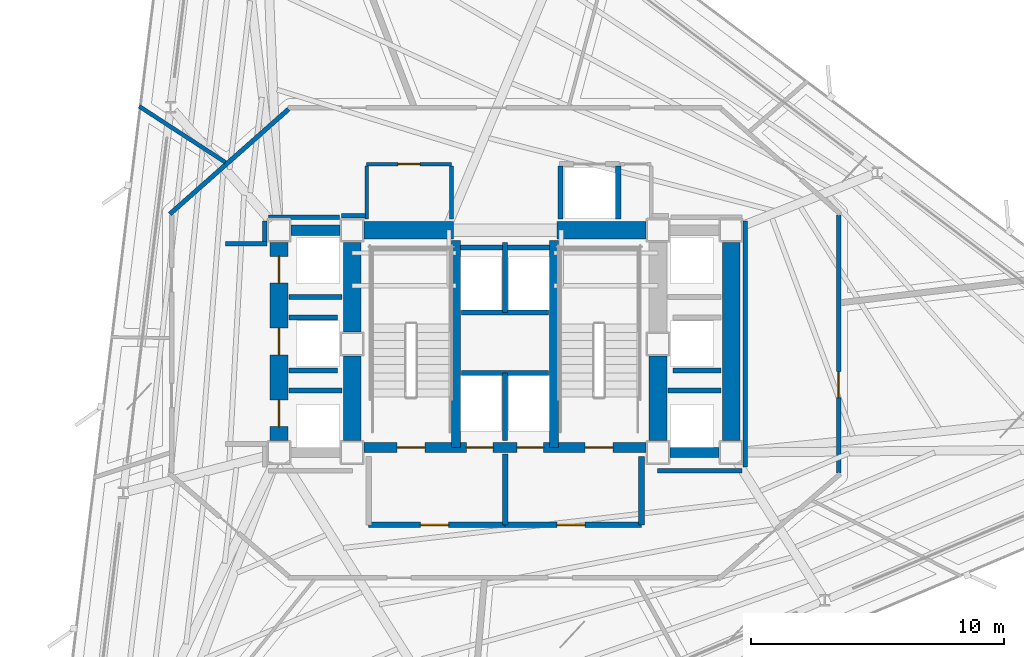
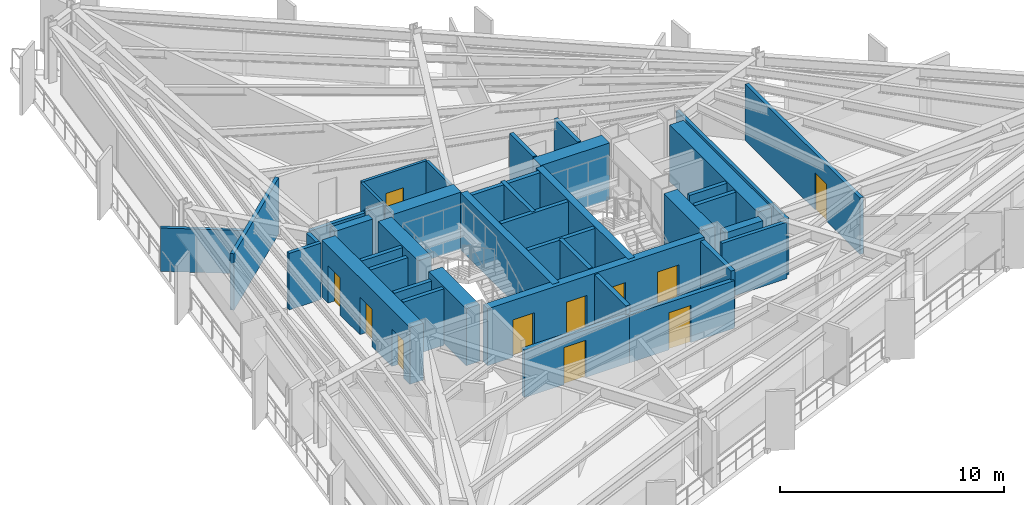
# One storey, part 7 of 13: 41 walls, 11 doors, 11 openings.
"""IFC4 building model written with IfcOpenShell, lengths in metres."""

from ifc_helpers import new_model, si_unit, direction, frame, frame_2d, origin, place, context, subcontext, project, spatial, rectangle, extrude, material, layer, layer_set, type_object, element, fill, save


model = new_model("IFC4")

# Units and contexts
model_context = context("Model", 3, precision=1e-05, world=origin(), true_north=direction((0.0, 1.0)))
body_context = subcontext(model_context, "Body", "Model", "MODEL_VIEW")
ifc_project = project(units=[si_unit("LENGTHUNIT", "METRE"), si_unit("AREAUNIT", "SQUARE_METRE"), si_unit("VOLUMEUNIT", "CUBIC_METRE"), si_unit("PLANEANGLEUNIT", "RADIAN"), si_unit("MASSUNIT", "GRAM", prefix="KILO")], contexts=[model_context])

# Site, building, storey
site_placement = place(None, origin())
site = spatial("IfcSite", under=ifc_project, at=site_placement, CompositionType="ELEMENT")
building_placement = place(site_placement, origin())
building = spatial("IfcBuilding", under=site, at=building_placement, Name="Rocaltana Carrier Exchange", CompositionType="ELEMENT")
storey_placement = place(building_placement, frame((0.0, 0.0, 63.0400390625)))
storey = spatial("IfcBuildingStorey", under=building, at=storey_placement, Name="L19", CompositionType="ELEMENT", Elevation=63.0400390625)

# Walls
ifc_material_1 = material(Name="Double Acoustic Gypsum Partition", Category="gypsum")
ifc_layer_1 = layer(ifc_material_1, 0.159912109375)
ifc_layer_set_1 = layer_set([ifc_layer_1], Name="Double Acoustic Gypsum Partition")
wall_type_1 = type_object("IfcWallType", Name="Acoustic Studio Partition 160 EI60", PredefinedType="PARTITIONING", material=ifc_layer_set_1)
wall_1_placement = place(storey_placement, frame((-11.069091796875, 7.188232421875, 0.0), z_axis=(0.0, 0.0, 1.0), x_axis=(-0.838653238926, 0.544665718436, 0.0)))
element("IfcWall", 1, at=wall_1_placement, inside=storey, type_object=wall_type_1, Name="L19 Suite Divider Wall D10", PredefinedType="PARTITIONING", context=body_context, shape_type="SweptSolid", body=[
    extrude(rectangle(XDim=4.070068359375, YDim=0.159912109375, at=frame_2d((2.03515625, 0.0))), origin(), (0.0, 0.0, 1.0), 2.35791015625),
])
ifc_material_2 = material(Name="Concrete C50/60", Category="concrete")
ifc_layer_2 = layer(ifc_material_2, 0.35009765625)
ifc_layer_set_2 = layer_set([ifc_layer_2], Name="Concrete C50/60")
wall_type_2 = type_object("IfcWallType", Name="Core Internal Shear Wall 350", PredefinedType="SHEAR", material=ifc_layer_set_2)
for number, where, z_axis, x_axis, name in (
    (2, (-1.93994140625, -4.10009765625, 0.0), (0.0, 0.0, 1.0), (0.0, 1.0, 0.0), "L19 Core Shear Wall CW-STW"),
    (3, (1.93994140625, -4.10009765625, 0.0), (0.0, 0.0, 1.0), (0.0, 1.0, 0.0), "L19 Core Shear Wall CW-STE"),
):
    element("IfcWall", number, at=place(storey_placement, frame(where, z_axis=z_axis, x_axis=x_axis)), inside=storey, type_object=wall_type_2, Name=name, PredefinedType="SHEAR", context=body_context, shape_type="SweptSolid", body=[
        extrude(rectangle(XDim=8.2001953125, YDim=0.35009765625, at=frame_2d((4.10009765625, 0.0))), origin(), (0.0, 0.0, 1.0), 3.097900390625),
    ])

# Wall, openings, doors
ifc_material_3 = material(Name="Concrete C50/60", Category="concrete")
ifc_layer_3 = layer(ifc_material_3, 0.39990234375)
ifc_layer_set_3 = layer_set([ifc_layer_3], Name="Concrete C50/60")
wall_type_3 = type_object("IfcWallType", Name="Core Internal Shear Wall 400", PredefinedType="SHEAR", material=ifc_layer_set_3)
wall_2_placement = place(storey_placement, frame((-5.574951171875, -4.10009765625, 0.0), z_axis=(0.0, 0.0, 1.0), x_axis=(1.0, 0.0, 0.0)))
wall_2 = element("IfcWall", 4, at=wall_2_placement, inside=storey, type_object=wall_type_3, Name="L19 Core Shear Wall CW-S", PredefinedType="SHEAR", context=body_context, shape_type="SweptSolid", body=[
    extrude(rectangle(XDim=11.14990234375, YDim=0.39990234375, at=frame_2d((5.574951171875, 0.0))), origin(), (0.0, 0.0, 1.0), 3.097900390625),
])
opening_1_placement = place(wall_2_placement, frame((1.304931640625, 0.0, 0.0)))
opening_1 = element("IfcOpeningElement", 5, at=opening_1_placement, cuts=wall_2, Name="Opening D-ST110", PredefinedType="OPENING", context=body_context, shape_type="SweptSolid", body=[
    extrude(rectangle(XDim=1.10009765625, YDim=2.0400390625, at=frame_2d((0.550048828125, 1.02001953125))), frame((0.0, 0.2099609375, 0.0), z_axis=(0.0, -1.0, 0.0), x_axis=(1.0, 0.0, 0.0)), (0.0, 0.0, 1.0), 0.419921875),
])
opening_2_placement = place(wall_2_placement, frame((8.7451171875, 0.0, 0.0)))
opening_2 = element("IfcOpeningElement", 6, at=opening_2_placement, cuts=wall_2, Name="Opening D-ST110", PredefinedType="OPENING", context=body_context, shape_type="SweptSolid", body=[
    extrude(rectangle(XDim=1.10009765625, YDim=2.0400390625, at=frame_2d((0.550048828125, 1.02001953125))), frame((0.0, 0.2099609375, 0.0), z_axis=(0.0, -1.0, 0.0), x_axis=(1.0, 0.0, 0.0)), (0.0, 0.0, 1.0), 0.419921875),
])
opening_3_placement = place(wall_2_placement, frame((4.044921875, 0.0, 0.0)))
opening_3 = element("IfcOpeningElement", 7, at=opening_3_placement, cuts=wall_2, Name="Opening LD-110", PredefinedType="OPENING", context=body_context, shape_type="SweptSolid", body=[
    extrude(rectangle(XDim=1.06005859375, YDim=2.0400390625, at=frame_2d((0.530029296875, 1.02001953125))), frame((0.0, 0.2099609375, 0.0), z_axis=(0.0, -1.0, 0.0), x_axis=(1.0, 0.0, 0.0)), (0.0, 0.0, 1.0), 0.419921875),
])
opening_4_placement = place(wall_2_placement, frame((6.044921875, 0.0, 0.0)))
opening_4 = element("IfcOpeningElement", 8, at=opening_4_placement, cuts=wall_2, Name="Opening LD-110", PredefinedType="OPENING", context=body_context, shape_type="SweptSolid", body=[
    extrude(rectangle(XDim=1.06005859375, YDim=2.0400390625, at=frame_2d((0.530029296875, 1.02001953125))), frame((0.0, 0.2099609375, 0.0), z_axis=(0.0, -1.0, 0.0), x_axis=(1.0, 0.0, 0.0)), (0.0, 0.0, 1.0), 0.419921875),
])
ifc_material_4 = material(Name="Hollow Metal Fire Door Assembly", Category="steel")
door_type_1 = type_object("IfcDoorType", Name="Exit Stair Fire Door 1100x2040 FD90S", OperationType="NOTDEFINED", PredefinedType="DOOR", material=ifc_material_4)
door_1_placement = place(opening_1_placement, origin())
door_1 = element("IfcDoor", 9, at=door_1_placement, inside=storey, type_object=door_type_1, Name="L19 Exit Stair ST1 Fire Door", OperationType="SINGLE_SWING_RIGHT", OverallHeight=2.0400390625, OverallWidth=1.10009765625, PredefinedType="DOOR", context=body_context, shape_type="SweptSolid", body=[
    extrude(rectangle(XDim=1.10009765625, YDim=2.0400390625, at=frame_2d((0.550048828125, 1.02001953125))), frame((0.0, 0.02490234375, 0.0), z_axis=(0.0, -1.0, 0.0), x_axis=(1.0, 0.0, 0.0)), (0.0, 0.0, 1.0), 0.050048828125),
])
fill(opening_1, door_1)
door_2_placement = place(opening_2_placement, origin())
door_2 = element("IfcDoor", 10, at=door_2_placement, inside=storey, type_object=door_type_1, Name="L19 Exit Stair ST2 Fire Door", OperationType="SINGLE_SWING_LEFT", OverallHeight=2.0400390625, OverallWidth=1.10009765625, PredefinedType="DOOR", context=body_context, shape_type="SweptSolid", body=[
    extrude(rectangle(XDim=1.10009765625, YDim=2.0400390625, at=frame_2d((0.550048828125, 1.02001953125))), frame((0.0, 0.02490234375, 0.0), z_axis=(0.0, -1.0, 0.0), x_axis=(1.0, 0.0, 0.0)), (0.0, 0.0, 1.0), 0.050048828125),
])
fill(opening_2, door_2)
ifc_material_5 = material(Name="Brushed Stainless Sliding Door Leaf", Category="steel")
door_type_2 = type_object("IfcDoorType", Name="Lift Landing Sliding Door 1060x2040", OperationType="NOTDEFINED", PredefinedType="DOOR", material=ifc_material_5)
door_3_placement = place(opening_3_placement, origin())
door_3 = element("IfcDoor", 11, at=door_3_placement, inside=storey, type_object=door_type_2, Name="L19 Firefighting Lift FFL1 Landing Door", OperationType="SLIDING_TO_LEFT", OverallHeight=2.0400390625, OverallWidth=1.06005859375, PredefinedType="DOOR", context=body_context, shape_type="SweptSolid", body=[
    extrude(rectangle(XDim=1.06005859375, YDim=2.0400390625, at=frame_2d((0.530029296875, 1.02001953125))), frame((0.0, 0.02490234375, 0.0), z_axis=(0.0, -1.0, 0.0), x_axis=(1.0, 0.0, 0.0)), (0.0, 0.0, 1.0), 0.050048828125),
])
fill(opening_3, door_3)
door_4_placement = place(opening_4_placement, origin())
door_4 = element("IfcDoor", 12, at=door_4_placement, inside=storey, type_object=door_type_2, Name="L19 Firefighting Lift FFL2 Landing Door", OperationType="SLIDING_TO_RIGHT", OverallHeight=2.0400390625, OverallWidth=1.06005859375, PredefinedType="DOOR", context=body_context, shape_type="SweptSolid", body=[
    extrude(rectangle(XDim=1.06005859375, YDim=2.0400390625, at=frame_2d((0.530029296875, 1.02001953125))), frame((0.0, 0.02490234375, 0.0), z_axis=(0.0, -1.0, 0.0), x_axis=(1.0, 0.0, 0.0)), (0.0, 0.0, 1.0), 0.050048828125),
])
fill(opening_4, door_4)

# Walls
for number, where, z_axis, x_axis, name in (
    (13, (-8.47509765625, 4.5, 0.0), (0.0, 0.0, 1.0), (1.0, 0.0, 0.0), "L19 Core Shear Wall CW-WWN"),
    (14, (6.52490234375, -4.300048828125, 0.0), (0.0, 0.0, 1.0), (1.0, 0.0, 0.0), "L19 Core Shear Wall CW-EWS"),
):
    element("IfcWall", number, at=place(storey_placement, frame(where, z_axis=z_axis, x_axis=x_axis)), inside=storey, type_object=wall_type_3, Name=name, PredefinedType="SHEAR", context=body_context, shape_type="SweptSolid", body=[
        extrude(rectangle(XDim=1.9501953125, YDim=0.39990234375, at=frame_2d((0.97509765625, 0.0))), origin(), (0.0, 0.0, 1.0), 3.097900390625),
    ])
ifc_material_6 = material(Name="Concrete C60/75", Category="concrete")
ifc_layer_4 = layer(ifc_material_6, 0.699951171875)
ifc_layer_set_4 = layer_set([ifc_layer_4], Name="Concrete C60/75")
wall_type_4 = type_object("IfcWallType", Name="Core Shear Wall 700", PredefinedType="SHEAR", material=ifc_layer_set_4)
wall_3_placement = place(storey_placement, frame((-6.050048828125, 0.47509765625, 0.0), z_axis=(0.0, 0.0, 1.0), x_axis=(0.0, 1.0, 0.0)))
element("IfcWall", 15, at=wall_3_placement, inside=storey, type_object=wall_type_4, Name="L19 Core Shear Wall CW-WN", PredefinedType="SHEAR", context=body_context, shape_type="SweptSolid", body=[
    extrude(rectangle(XDim=3.5498046875, YDim=0.699951171875, at=frame_2d((1.77490234375, 0.0))), origin(), (0.0, 0.0, 1.0), 3.097900390625),
])
for number, where, z_axis, x_axis, name in (
    (16, (-6.050048828125, -3.824951171875, 0.0), (0.0, 0.0, 1.0), (0.0, 1.0, 0.0), "L19 Core Shear Wall CW-WS"),
    (17, (6.050048828125, -3.824951171875, 0.0), (0.0, 0.0, 1.0), (0.0, 1.0, 0.0), "L19 Core Shear Wall CW-ES"),
):
    element("IfcWall", number, at=place(storey_placement, frame(where, z_axis=z_axis, x_axis=x_axis)), inside=storey, type_object=wall_type_4, Name=name, PredefinedType="SHEAR", context=body_context, shape_type="SweptSolid", body=[
        extrude(rectangle(XDim=3.349853515625, YDim=0.699951171875, at=frame_2d((1.6748046875, 0.0))), origin(), (0.0, 0.0, 1.0), 3.097900390625),
    ])
for number, where, z_axis, x_axis, name in (
    (18, (-5.574951171875, 4.5, 0.0), (0.0, 0.0, 1.0), (1.0, 0.0, 0.0), "L19 Core Shear Wall CW-N1"),
    (19, (2.050048828125, 4.5, 0.0), (0.0, 0.0, 1.0), (1.0, 0.0, 0.0), "L19 Core Shear Wall CW-N2"),
):
    element("IfcWall", number, at=place(storey_placement, frame(where, z_axis=z_axis, x_axis=x_axis)), inside=storey, type_object=wall_type_4, Name=name, PredefinedType="SHEAR", context=body_context, shape_type="SweptSolid", body=[
        extrude(rectangle(XDim=3.52490234375, YDim=0.699951171875, at=frame_2d((1.762451171875, 0.0))), origin(), (0.0, 0.0, 1.0), 3.097900390625),
    ])

# Wall, openings, doors
wall_4_placement = place(storey_placement, frame((-8.949951171875, -3.824951171875, 0.0), z_axis=(0.0, 0.0, 1.0), x_axis=(0.0, 1.0, 0.0)))
wall_4 = element("IfcWall", 20, at=wall_4_placement, inside=storey, type_object=wall_type_4, Name="L19 Core Shear Wall CW-WW", PredefinedType="SHEAR", context=body_context, shape_type="SweptSolid", body=[
    extrude(rectangle(XDim=7.849853515625, YDim=0.699951171875, at=frame_2d((3.9248046875, 0.0))), origin(), (0.0, 0.0, 1.0), 3.097900390625),
])
opening_5_placement = place(wall_4_placement, frame((0.550048828125, 0.0, 0.0)))
opening_5 = element("IfcOpeningElement", 21, at=opening_5_placement, cuts=wall_4, Name="Opening LD-110", PredefinedType="OPENING", context=body_context, shape_type="SweptSolid", body=[
    extrude(rectangle(XDim=1.06005859375, YDim=2.0400390625, at=frame_2d((0.530029296875, 1.02001953125))), frame((0.0, 0.35986328125, 0.0), z_axis=(0.0, -1.0, 0.0), x_axis=(1.0, 0.0, 0.0)), (0.0, 0.0, 1.0), 0.719970703125),
])
opening_6_placement = place(wall_4_placement, frame((3.39501953125, 0.0, 0.0)))
opening_6 = element("IfcOpeningElement", 22, at=opening_6_placement, cuts=wall_4, Name="Opening LD-110", PredefinedType="OPENING", context=body_context, shape_type="SweptSolid", body=[
    extrude(rectangle(XDim=1.06005859375, YDim=2.0400390625, at=frame_2d((0.530029296875, 1.02001953125))), frame((0.0, 0.35986328125, 0.0), z_axis=(0.0, -1.0, 0.0), x_axis=(1.0, 0.0, 0.0)), (0.0, 0.0, 1.0), 0.719970703125),
])
opening_7_placement = place(wall_4_placement, frame((6.22998046875, 0.0, 0.0)))
opening_7 = element("IfcOpeningElement", 23, at=opening_7_placement, cuts=wall_4, Name="Opening LD-110", PredefinedType="OPENING", context=body_context, shape_type="SweptSolid", body=[
    extrude(rectangle(XDim=1.06005859375, YDim=2.0400390625, at=frame_2d((0.530029296875, 1.02001953125))), frame((0.0, 0.35986328125, 0.0), z_axis=(0.0, -1.0, 0.0), x_axis=(1.0, 0.0, 0.0)), (0.0, 0.0, 1.0), 0.719970703125),
])
door_5_placement = place(opening_5_placement, origin())
door_5 = element("IfcDoor", 24, at=door_5_placement, inside=storey, type_object=door_type_2, Name="L19 Low-Rise Lift PL-L1 Landing Door", OperationType="SLIDING_TO_LEFT", OverallHeight=2.0400390625, OverallWidth=1.06005859375, PredefinedType="DOOR", context=body_context, shape_type="SweptSolid", body=[
    extrude(rectangle(XDim=1.06005859375, YDim=2.0400390625, at=frame_2d((0.530029296875, 1.02001953125))), frame((0.0, 0.02490234375, 0.0), z_axis=(0.0, -1.0, 0.0), x_axis=(1.0, 0.0, 0.0)), (0.0, 0.0, 1.0), 0.050048828125),
])
fill(opening_5, door_5)
door_6_placement = place(opening_6_placement, origin())
door_6 = element("IfcDoor", 25, at=door_6_placement, inside=storey, type_object=door_type_2, Name="L19 Low-Rise Lift PL-L2 Landing Door", OperationType="SLIDING_TO_RIGHT", OverallHeight=2.0400390625, OverallWidth=1.06005859375, PredefinedType="DOOR", context=body_context, shape_type="SweptSolid", body=[
    extrude(rectangle(XDim=1.06005859375, YDim=2.0400390625, at=frame_2d((0.530029296875, 1.02001953125))), frame((0.0, 0.02490234375, 0.0), z_axis=(0.0, -1.0, 0.0), x_axis=(1.0, 0.0, 0.0)), (0.0, 0.0, 1.0), 0.050048828125),
])
fill(opening_6, door_6)
door_7_placement = place(opening_7_placement, origin())
door_7 = element("IfcDoor", 26, at=door_7_placement, inside=storey, type_object=door_type_2, Name="L19 Low-Rise Lift PL-L3 Landing Door", OperationType="SLIDING_TO_LEFT", OverallHeight=2.0400390625, OverallWidth=1.06005859375, PredefinedType="DOOR", context=body_context, shape_type="SweptSolid", body=[
    extrude(rectangle(XDim=1.06005859375, YDim=2.0400390625, at=frame_2d((0.530029296875, 1.02001953125))), frame((0.0, 0.02490234375, 0.0), z_axis=(0.0, -1.0, 0.0), x_axis=(1.0, 0.0, 0.0)), (0.0, 0.0, 1.0), 0.050048828125),
])
fill(opening_7, door_7)

# Wall
wall_5_placement = place(storey_placement, frame((8.949951171875, -3.824951171875, 0.0), z_axis=(0.0, 0.0, 1.0), x_axis=(0.0, 1.0, 0.0)))
element("IfcWall", 27, at=wall_5_placement, inside=storey, type_object=wall_type_4, Name="L19 Core Shear Wall CW-EW", PredefinedType="SHEAR", context=body_context, shape_type="SweptSolid", body=[
    extrude(rectangle(XDim=7.849853515625, YDim=0.699951171875, at=frame_2d((3.9248046875, 0.0))), origin(), (0.0, 0.0, 1.0), 3.097900390625),
])

# Wall, opening, door
ifc_material_7 = material(Name="Gypsum & Steel Stud Partition", Category="steel")
ifc_layer_5 = layer(ifc_material_7, 0.179931640625)
ifc_layer_set_5 = layer_set([ifc_layer_5], Name="Gypsum & Steel Stud Partition")
wall_type_5 = type_object("IfcWallType", Name="Corridor Fire Partition 180 EI60", PredefinedType="PARTITIONING", material=ifc_layer_set_5)
wall_6_placement = place(storey_placement, frame((13.199951171875, 5.110107421875, 0.0), z_axis=(0.0, 0.0, 1.0), x_axis=(0.0, -1.0, 0.0)))
wall_6 = element("IfcWall", 28, at=wall_6_placement, inside=storey, type_object=wall_type_5, Name="L19 Corridor Partition 3", PredefinedType="PARTITIONING", context=body_context, shape_type="SweptSolid", body=[
    extrude(rectangle(XDim=10.22021484375, YDim=0.179931640625, at=frame_2d((5.110107421875, 0.0))), origin(), (0.0, 0.0, 1.0), 3.072998046875),
])
opening_8_placement = place(wall_6_placement, frame((6.209716796875, 0.0, 0.0)))
opening_8 = element("IfcOpeningElement", 29, at=opening_8_placement, cuts=wall_6, Name="Opening D-LB104", PredefinedType="OPENING", context=body_context, shape_type="SweptSolid", body=[
    extrude(rectangle(XDim=1.02001953125, YDim=2.02001953125, at=frame_2d((0.510009765625, 1.010009765625))), frame((0.0, 0.099853515625, 0.0), z_axis=(0.0, -1.0, 0.0), x_axis=(1.0, 0.0, 0.0)), (0.0, 0.0, 1.0), 0.199951171875),
])
ifc_material_8 = material(Name="Powder-Coated Aluminium 6063-T6", Category="aluminium")
door_type_3 = type_object("IfcDoorType", Name="Laboratory Acoustic Door 1020x2020", OperationType="NOTDEFINED", PredefinedType="DOOR", material=ifc_material_8)
door_8_placement = place(opening_8_placement, origin())
door_8 = element("IfcDoor", 30, at=door_8_placement, inside=storey, type_object=door_type_3, Name="L19 Optical Switching Laboratory Entrance Door", OperationType="SINGLE_SWING_LEFT", OverallHeight=2.02001953125, OverallWidth=1.02001953125, PredefinedType="DOOR", context=body_context, shape_type="SweptSolid", body=[
    extrude(rectangle(XDim=1.02001953125, YDim=2.02001953125, at=frame_2d((0.510009765625, 1.010009765625))), frame((0.0, 0.02490234375, 0.0), z_axis=(0.0, -1.0, 0.0), x_axis=(1.0, 0.0, 0.0)), (0.0, 0.0, 1.0), 0.050048828125),
])
fill(opening_8, door_8)

# Walls
wall_7_placement = place(storey_placement, frame((-13.267578125, 5.140380859375, 0.0), z_axis=(0.0, 0.0, 1.0), x_axis=(0.749626463267, 0.66186113768, 0.0)))
element("IfcWall", 31, at=wall_7_placement, inside=storey, type_object=wall_type_5, Name="L19 Corridor Partition 8", PredefinedType="PARTITIONING", context=body_context, shape_type="SweptSolid", body=[
    extrude(rectangle(XDim=6.27001953125, YDim=0.179931640625, at=frame_2d((3.135009765625, 0.0))), origin(), (0.0, 0.0, 1.0), 3.072998046875),
])
wall_8_placement = place(storey_placement, frame((-9.510009765625, 4.8701171875, 0.0), z_axis=(0.0, 0.0, 1.0), x_axis=(0.0, -1.0, 0.0)))
element("IfcWall", 32, at=wall_8_placement, inside=storey, type_object=wall_type_5, Name="L19 Corridor Partition 9", PredefinedType="PARTITIONING", context=body_context, shape_type="SweptSolid", body=[
    extrude(rectangle(XDim=0.820068359375, YDim=0.179931640625, at=frame_2d((0.41015625, 0.0))), origin(), (0.0, 0.0, 1.0), 3.072998046875),
])
wall_9_placement = place(storey_placement, frame((-9.419921875, 3.9599609375, 0.0), z_axis=(0.0, 0.0, 1.0), x_axis=(-1.0, 0.0, 0.0)))
element("IfcWall", 33, at=wall_9_placement, inside=storey, type_object=wall_type_5, Name="L19 Corridor Partition 10", PredefinedType="PARTITIONING", context=body_context, shape_type="SweptSolid", body=[
    extrude(rectangle(XDim=1.650146484375, YDim=0.179931640625, at=frame_2d((0.8251953125, 0.0))), origin(), (0.0, 0.0, 1.0), 3.072998046875),
])
wall_10_placement = place(storey_placement, frame((6.030029296875, -5.010009765625, 0.0), z_axis=(0.0, 0.0, 1.0), x_axis=(1.0, 0.0, 0.0)))
element("IfcWall", 34, at=wall_10_placement, inside=storey, type_object=wall_type_5, Name="L19 Corridor Partition 16", PredefinedType="PARTITIONING", context=body_context, shape_type="SweptSolid", body=[
    extrude(rectangle(XDim=3.340087890625, YDim=0.179931640625, at=frame_2d((1.669921875, 0.0))), origin(), (0.0, 0.0, 1.0), 3.072998046875),
])
wall_11_placement = place(storey_placement, frame((9.510009765625, -4.8701171875, 0.0), z_axis=(0.0, 0.0, 1.0), x_axis=(0.0, 1.0, 0.0)))
element("IfcWall", 35, at=wall_11_placement, inside=storey, type_object=wall_type_5, Name="L19 Corridor Partition 17", PredefinedType="PARTITIONING", context=body_context, shape_type="SweptSolid", body=[
    extrude(rectangle(XDim=9.740234375, YDim=0.179931640625, at=frame_2d((4.8701171875, 0.0))), origin(), (0.0, 0.0, 1.0), 3.072998046875),
])
wall_12_placement = place(storey_placement, frame((-5.52001953125, 5.080078125, 0.0), z_axis=(0.0, 0.0, 1.0), x_axis=(-1.0, 0.0, 0.0)))
element("IfcWall", 36, at=wall_12_placement, inside=storey, type_object=wall_type_5, Name="L19 Corridor Partition 22", PredefinedType="PARTITIONING", context=body_context, shape_type="SweptSolid", body=[
    extrude(rectangle(XDim=0.949951171875, YDim=0.179931640625, at=frame_2d((0.47509765625, 0.0))), origin(), (0.0, 0.0, 1.0), 3.072998046875),
])
wall_13_placement = place(storey_placement, frame((-6.562255859375, 5.010009765625, 0.0), z_axis=(0.0, 0.0, 1.0), x_axis=(-1.0, 0.0, 0.0)))
element("IfcWall", 37, at=wall_13_placement, inside=storey, type_object=wall_type_5, Name="L19 Corridor Partition 23", PredefinedType="PARTITIONING", context=body_context, shape_type="SweptSolid", body=[
    extrude(rectangle(XDim=2.807861328125, YDim=0.179931640625, at=frame_2d((1.40380859375, 0.0))), origin(), (0.0, 0.0, 1.0), 3.072998046875),
])
ifc_material_9 = material(Name="Autoclaved Aerated Concrete C30/37", Category="concrete")
ifc_layer_6 = layer(ifc_material_9, 0.219970703125)
ifc_layer_set_6 = layer_set([ifc_layer_6], Name="Autoclaved Aerated Concrete C30/37")
wall_type_6 = type_object("IfcWallType", Name="Firefighting Lobby Wall 220 EI120", PredefinedType="PARTITIONING", material=ifc_layer_set_6)
wall_14_placement = place(storey_placement, frame((5.39990234375, -7.159912109375, 0.0), z_axis=(0.0, 0.0, 1.0), x_axis=(0.0, 1.0, 0.0)))
element("IfcWall", 38, at=wall_14_placement, inside=storey, type_object=wall_type_6, Name="L19 FFL Lobby 2 East Wall", PredefinedType="PARTITIONING", context=body_context, shape_type="SweptSolid", body=[
    extrude(rectangle(XDim=2.7099609375, YDim=0.219970703125, at=frame_2d((1.35498046875, 0.0))), origin(), (0.0, 0.0, 1.0), 3.072998046875),
])
wall_15_placement = place(storey_placement, frame((0.0, -7.159912109375, 0.0), z_axis=(0.0, 0.0, 1.0), x_axis=(0.0, 1.0, 0.0)))
element("IfcWall", 39, at=wall_15_placement, inside=storey, type_object=wall_type_6, Name="L19 FFL Lobby Centre Wall", PredefinedType="PARTITIONING", context=body_context, shape_type="SweptSolid", body=[
    extrude(rectangle(XDim=2.809814453125, YDim=0.219970703125, at=frame_2d((1.40478515625, 0.0))), origin(), (0.0, 0.0, 1.0), 3.072998046875),
])

# Wall, opening, door
wall_16_placement = place(storey_placement, frame((-5.39990234375, -7.159912109375, 0.0), z_axis=(0.0, 0.0, 1.0), x_axis=(1.0, 0.0, 0.0)))
wall_16 = element("IfcWall", 40, at=wall_16_placement, inside=storey, type_object=wall_type_6, Name="L19 FFL Lobby 1 South Wall", PredefinedType="PARTITIONING", context=body_context, shape_type="SweptSolid", body=[
    extrude(rectangle(XDim=5.39990234375, YDim=0.219970703125, at=frame_2d((2.699951171875, 0.0))), origin(), (0.0, 0.0, 1.0), 2.5869140625),
])
opening_9_placement = place(wall_16_placement, frame((2.050048828125, 0.0, 0.0)))
opening_9 = element("IfcOpeningElement", 41, at=opening_9_placement, cuts=wall_16, Name="Opening D-FF115", PredefinedType="OPENING", context=body_context, shape_type="SweptSolid", body=[
    extrude(rectangle(XDim=1.1201171875, YDim=2.02001953125, at=frame_2d((0.56005859375, 1.010009765625))), frame((0.0, 0.119873046875, 0.0), z_axis=(0.0, -1.0, 0.0), x_axis=(1.0, 0.0, 0.0)), (0.0, 0.0, 1.0), 0.239990234375),
])
ifc_material_10 = material(Name="Hollow Metal Fire Door Assembly", Category="steel")
door_type_4 = type_object("IfcDoorType", Name="Firefighting Lobby Door 1120x2020 FD60S", OperationType="NOTDEFINED", PredefinedType="DOOR", material=ifc_material_10)
door_9_placement = place(opening_9_placement, origin())
door_9 = element("IfcDoor", 42, at=door_9_placement, inside=storey, type_object=door_type_4, Name="L19 Firefighting Lift Lobby 1 Door", OperationType="SINGLE_SWING_RIGHT", OverallHeight=2.02001953125, OverallWidth=1.1201171875, PredefinedType="DOOR", context=body_context, shape_type="SweptSolid", body=[
    extrude(rectangle(XDim=1.1201171875, YDim=2.02001953125, at=frame_2d((0.56005859375, 1.010009765625))), frame((0.0, 0.02490234375, 0.0), z_axis=(0.0, -1.0, 0.0), x_axis=(1.0, 0.0, 0.0)), (0.0, 0.0, 1.0), 0.050048828125),
])
fill(opening_9, door_9)

wall_17_placement = place(storey_placement, frame((0.0, -7.159912109375, 0.0), z_axis=(0.0, 0.0, 1.0), x_axis=(1.0, 0.0, 0.0)))
wall_17 = element("IfcWall", 43, at=wall_17_placement, inside=storey, type_object=wall_type_6, Name="L19 FFL Lobby 2 South Wall", PredefinedType="PARTITIONING", context=body_context, shape_type="SweptSolid", body=[
    extrude(rectangle(XDim=5.39990234375, YDim=0.219970703125, at=frame_2d((2.699951171875, 0.0))), origin(), (0.0, 0.0, 1.0), 2.5869140625),
])
opening_10_placement = place(wall_17_placement, frame((2.050048828125, 0.0, 0.0)))
opening_10 = element("IfcOpeningElement", 44, at=opening_10_placement, cuts=wall_17, Name="Opening D-FF115", PredefinedType="OPENING", context=body_context, shape_type="SweptSolid", body=[
    extrude(rectangle(XDim=1.1201171875, YDim=2.02001953125, at=frame_2d((0.56005859375, 1.010009765625))), frame((0.0, 0.119873046875, 0.0), z_axis=(0.0, -1.0, 0.0), x_axis=(1.0, 0.0, 0.0)), (0.0, 0.0, 1.0), 0.239990234375),
])
door_10_placement = place(opening_10_placement, origin())
door_10 = element("IfcDoor", 45, at=door_10_placement, inside=storey, type_object=door_type_4, Name="L19 Firefighting Lift Lobby 2 Door", OperationType="SINGLE_SWING_LEFT", OverallHeight=2.02001953125, OverallWidth=1.1201171875, PredefinedType="DOOR", context=body_context, shape_type="SweptSolid", body=[
    extrude(rectangle(XDim=1.1201171875, YDim=2.02001953125, at=frame_2d((0.56005859375, 1.010009765625))), frame((0.0, 0.02490234375, 0.0), z_axis=(0.0, -1.0, 0.0), x_axis=(1.0, 0.0, 0.0)), (0.0, 0.0, 1.0), 0.050048828125),
])
fill(opening_10, door_10)

# Walls
ifc_material_11 = material(Name="Reinforced Concrete Block C35/45", Category="concrete")
ifc_layer_7 = layer(ifc_material_11, 0.199951171875)
ifc_layer_set_7 = layer_set([ifc_layer_7], Name="Reinforced Concrete Block C35/45")
wall_type_7 = type_object("IfcWallType", Name="Lift Hoistway Enclosure Wall 200 EI120", PredefinedType="PARTITIONING", material=ifc_layer_set_7)
wall_18_placement = place(storey_placement, frame((0.0, -3.820068359375, 0.0), z_axis=(0.0, 0.0, 1.0), x_axis=(0.0, 1.0, 0.0)))
element("IfcWall", 46, at=wall_18_placement, inside=storey, type_object=wall_type_7, Name="L19 FFL Shaft Divider", PredefinedType="PARTITIONING", context=body_context, shape_type="SweptSolid", body=[
    extrude(rectangle(XDim=2.670166015625, YDim=0.199951171875, at=frame_2d((1.3349609375, 0.0))), origin(), (0.0, 0.0, 1.0), 3.072998046875),
])
wall_19_placement = place(storey_placement, frame((-1.719970703125, -1.14990234375, 0.0), z_axis=(0.0, 0.0, 1.0), x_axis=(1.0, 0.0, 0.0)))
element("IfcWall", 47, at=wall_19_placement, inside=storey, type_object=wall_type_7, Name="L19 FFL Shaft Back Wall", PredefinedType="PARTITIONING", context=body_context, shape_type="SweptSolid", body=[
    extrude(rectangle(XDim=3.43994140625, YDim=0.199951171875, at=frame_2d((1.719970703125, 0.0))), origin(), (0.0, 0.0, 1.0), 3.072998046875),
])
wall_20_placement = place(storey_placement, frame((0.0, 1.25, 0.0), z_axis=(0.0, 0.0, 1.0), x_axis=(0.0, 1.0, 0.0)))
element("IfcWall", 48, at=wall_20_placement, inside=storey, type_object=wall_type_7, Name="L19 High-Rise Shaft Divider", PredefinedType="PARTITIONING", context=body_context, shape_type="SweptSolid", body=[
    extrude(rectangle(XDim=2.77001953125, YDim=0.199951171875, at=frame_2d((1.385009765625, 0.0))), origin(), (0.0, 0.0, 1.0), 3.072998046875),
])
wall_21_placement = place(storey_placement, frame((-1.719970703125, 1.25, 0.0), z_axis=(0.0, 0.0, 1.0), x_axis=(1.0, 0.0, 0.0)))
element("IfcWall", 49, at=wall_21_placement, inside=storey, type_object=wall_type_7, Name="L19 High-Rise Shaft Back Wall", PredefinedType="PARTITIONING", context=body_context, shape_type="SweptSolid", body=[
    extrude(rectangle(XDim=3.43994140625, YDim=0.199951171875, at=frame_2d((1.719970703125, 0.0))), origin(), (0.0, 0.0, 1.0), 3.072998046875),
])
wall_22_placement = place(storey_placement, frame((-1.760009765625, 3.820068359375, 0.0), z_axis=(0.0, 0.0, 1.0), x_axis=(1.0, 0.0, 0.0)))
element("IfcWall", 50, at=wall_22_placement, inside=storey, type_object=wall_type_7, Name="L19 High-Rise Lift Front Wall", PredefinedType="PARTITIONING", context=body_context, shape_type="SweptSolid", body=[
    extrude(rectangle(XDim=3.52001953125, YDim=0.199951171875, at=frame_2d((1.760009765625, 0.0))), origin(), (0.0, 0.0, 1.0), 3.072998046875),
])
for number, where, z_axis, x_axis, name in (
    (51, (2.199951171875, 4.949951171875, 0.0), (0.0, 0.0, 1.0), (0.0, 1.0, 0.0), "L19 Goods Lift West Wall"),
    (52, (4.47998046875, 4.949951171875, 0.0), (0.0, 0.0, 1.0), (0.0, 1.0, 0.0), "L19 Goods Lift East Wall"),
    (53, (-8.550048828125, -1.85009765625, 0.0), (0.0, 0.0, 1.0), (1.0, 0.0, 0.0), "L19 Low-Rise Shaft Divider 1"),
    (54, (-8.550048828125, 1.85009765625, 0.0), (0.0, 0.0, 1.0), (1.0, 0.0, 0.0), "L19 Low-Rise Shaft Divider 2"),
):
    element("IfcWall", number, at=place(storey_placement, frame(where, z_axis=z_axis, x_axis=x_axis)), inside=storey, type_object=wall_type_7, Name=name, PredefinedType="PARTITIONING", context=body_context, shape_type="SweptSolid", body=[
        extrude(rectangle(XDim=2.10009765625, YDim=0.199951171875, at=frame_2d((1.050048828125, 0.0))), origin(), (0.0, 0.0, 1.0), 3.072998046875),
    ])
for number, where, z_axis, x_axis, name in (
    (55, (-8.550048828125, -1.050048828125, 0.0), (0.0, 0.0, 1.0), (1.0, 0.0, 0.0), "L19 Low-Rise Center Shaft Wall South"),
    (56, (-8.550048828125, 1.050048828125, 0.0), (0.0, 0.0, 1.0), (1.0, 0.0, 0.0), "L19 Low-Rise Center Shaft Wall North"),
):
    element("IfcWall", number, at=place(storey_placement, frame(where, z_axis=z_axis, x_axis=x_axis)), inside=storey, type_object=wall_type_7, Name=name, PredefinedType="PARTITIONING", context=body_context, shape_type="SweptSolid", body=[
        extrude(rectangle(XDim=1.91015625, YDim=0.199951171875, at=frame_2d((0.955078125, 0.0))), origin(), (0.0, 0.0, 1.0), 3.072998046875),
    ])
wall_23_placement = place(storey_placement, frame((6.449951171875, -1.85009765625, 0.0), z_axis=(0.0, 0.0, 1.0), x_axis=(1.0, 0.0, 0.0)))
element("IfcWall", 57, at=wall_23_placement, inside=storey, type_object=wall_type_7, Name="L19 Mid-Rise Shaft Divider 1", PredefinedType="PARTITIONING", context=body_context, shape_type="SweptSolid", body=[
    extrude(rectangle(XDim=2.10009765625, YDim=0.199951171875, at=frame_2d((1.050048828125, 0.0))), origin(), (0.0, 0.0, 1.0), 3.072998046875),
])
wall_24_placement = place(storey_placement, frame((6.639892578125, -1.050048828125, 0.0), z_axis=(0.0, 0.0, 1.0), x_axis=(1.0, 0.0, 0.0)))
element("IfcWall", 58, at=wall_24_placement, inside=storey, type_object=wall_type_7, Name="L19 Mid-Rise Center Shaft Wall South", PredefinedType="PARTITIONING", context=body_context, shape_type="SweptSolid", body=[
    extrude(rectangle(XDim=1.91015625, YDim=0.199951171875, at=frame_2d((0.955078125, 0.0))), origin(), (0.0, 0.0, 1.0), 3.072998046875),
])
ifc_material_12 = material(Name="Moisture-Resistant Masonry C30/37", Category="masonry")
ifc_layer_8 = layer(ifc_material_12, 0.139892578125)
ifc_layer_set_8 = layer_set([ifc_layer_8], Name="Moisture-Resistant Masonry C30/37")
wall_type_8 = type_object("IfcWallType", Name="Wet-Area Sanitary Partition 140", PredefinedType="PARTITIONING", material=ifc_layer_set_8)
for number, where, z_axis, x_axis, name in (
    (59, (-5.47998046875, 4.949951171875, 0.0), (0.0, 0.0, 1.0), (0.0, 1.0, 0.0), "L19 Sanitary West Wall"),
    (60, (-2.1201171875, 4.949951171875, 0.0), (0.0, 0.0, 1.0), (0.0, 1.0, 0.0), "L19 Sanitary East Wall"),
):
    element("IfcWall", number, at=place(storey_placement, frame(where, z_axis=z_axis, x_axis=x_axis)), inside=storey, type_object=wall_type_8, Name=name, PredefinedType="PARTITIONING", context=body_context, shape_type="SweptSolid", body=[
        extrude(rectangle(XDim=2.10009765625, YDim=0.139892578125, at=frame_2d((1.050048828125, 0.0))), origin(), (0.0, 0.0, 1.0), 3.072998046875),
    ])

# Wall, opening, door
wall_25_placement = place(storey_placement, frame((-5.47998046875, 7.1201171875, 0.0), z_axis=(0.0, 0.0, 1.0), x_axis=(1.0, 0.0, 0.0)))
wall_25 = element("IfcWall", 61, at=wall_25_placement, inside=storey, type_object=wall_type_8, Name="L19 Sanitary North Wall", PredefinedType="PARTITIONING", context=body_context, shape_type="SweptSolid", body=[
    extrude(rectangle(XDim=3.35986328125, YDim=0.139892578125, at=frame_2d((1.679931640625, 0.0))), origin(), (0.0, 0.0, 1.0), 3.072998046875),
])
opening_11_placement = place(wall_25_placement, frame((1.239990234375, 0.0, 0.0)))
opening_11 = element("IfcOpeningElement", 62, at=opening_11_placement, cuts=wall_25, Name="Opening D-WC090", PredefinedType="OPENING", context=body_context, shape_type="SweptSolid", body=[
    extrude(rectangle(XDim=0.8798828125, YDim=2.02001953125, at=frame_2d((0.43994140625, 1.010009765625))), frame((0.0, 0.079833984375, 0.0), z_axis=(0.0, -1.0, 0.0), x_axis=(1.0, 0.0, 0.0)), (0.0, 0.0, 1.0), 0.159912109375),
])
ifc_material_13 = material(Name="High-Pressure Laminate Timber", Category="wood")
door_type_5 = type_object("IfcDoorType", Name="Restroom & Accessible WC Door 880x2020", OperationType="NOTDEFINED", PredefinedType="DOOR", material=ifc_material_13)
door_11_placement = place(opening_11_placement, origin())
door_11 = element("IfcDoor", 63, at=door_11_placement, inside=storey, type_object=door_type_5, Name="L19 Accessible Toilet Door", OperationType="SINGLE_SWING_RIGHT", OverallHeight=2.02001953125, OverallWidth=0.8798828125, PredefinedType="DOOR", context=body_context, shape_type="SweptSolid", body=[
    extrude(rectangle(XDim=0.8798828125, YDim=2.02001953125, at=frame_2d((0.43994140625, 1.010009765625))), frame((0.0, 0.02490234375, 0.0), z_axis=(0.0, -1.0, 0.0), x_axis=(1.0, 0.0, 0.0)), (0.0, 0.0, 1.0), 0.050048828125),
])
fill(opening_11, door_11)

save(model, "model.ifc")
